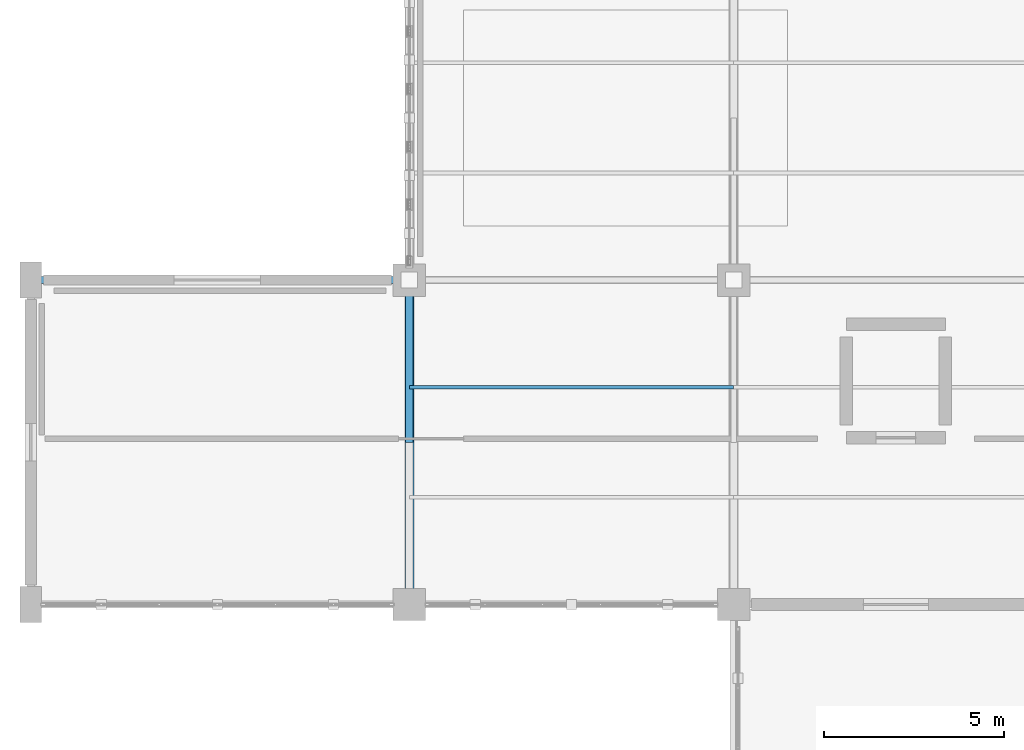
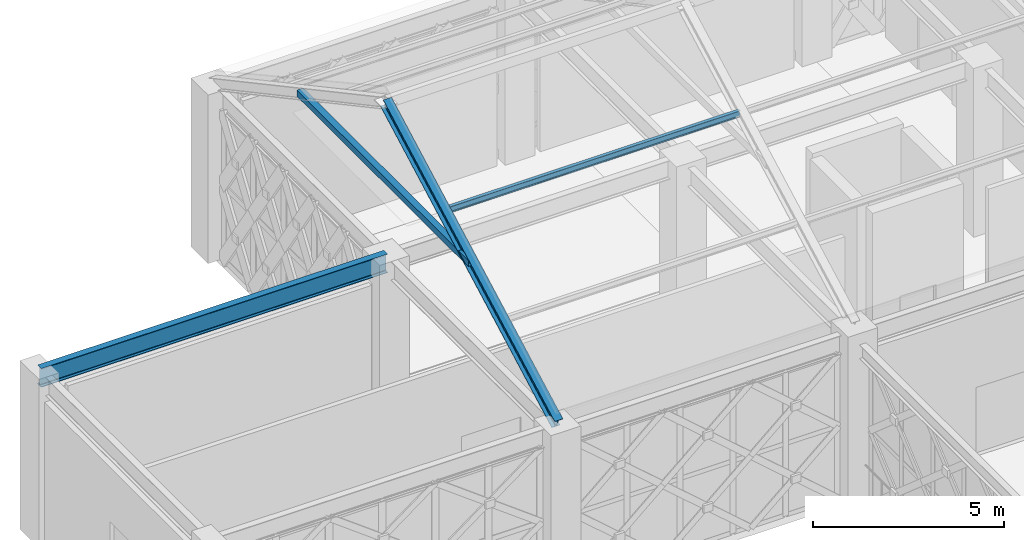
# One storey, part 56 of 166: 3 members, 1 beam.
"""IFC4 building model written with IfcOpenShell, lengths in metres."""

from ifc_helpers import new_model, si_unit, direction, frame, origin, origin_2d, place, context, subcontext, project, spatial, hollow_rectangle, i_section, extrude, material, material_profile, profile_set, type_object, element, save


model = new_model("IFC4")

# Units and contexts
model_context = context("Model", 3, precision=1e-05, world=origin(), true_north=direction((0.0, 1.0)))
body_context = subcontext(model_context, "Body", "Model", "MODEL_VIEW")
ifc_project = project(units=[si_unit("LENGTHUNIT", "METRE"), si_unit("AREAUNIT", "SQUARE_METRE"), si_unit("VOLUMEUNIT", "CUBIC_METRE"), si_unit("PLANEANGLEUNIT", "RADIAN"), si_unit("MASSUNIT", "GRAM", prefix="KILO")], contexts=[model_context])

# Site, building, storey
site_placement = place(None, origin())
site = spatial("IfcSite", under=ifc_project, at=site_placement, CompositionType="ELEMENT")
building_placement = place(site_placement, origin())
building = spatial("IfcBuilding", under=site, at=building_placement, Name="Haizhuo Lancet Aquarium", CompositionType="ELEMENT")
storey_placement = place(building_placement, frame((0.0, 0.0, 5.39990234375)))
storey = spatial("IfcBuildingStorey", under=building, at=storey_placement, Name="L01", CompositionType="ELEMENT", Elevation=5.39990234375)

# Beam
ifc_material = material(Name="Steel S355", Category="steel")
ifc_material_profile_1 = material_profile(ifc_material, i_section(OverallWidth=0.199951171875, OverallDepth=0.60009765625, WebThickness=0.010986328125, FlangeThickness=0.01708984375, FilletRadius=0.02197265625, at=origin_2d()), Name="HN 600x200x11x17")
ifc_profile_set_1 = profile_set([ifc_material_profile_1], Name="Steel S355")
beam_type = type_object("IfcBeamType", Name="BM-ST-HN600", PredefinedType="BEAM", material=ifc_profile_set_1)
beam_placement = place(storey_placement, frame((-82.5, 18.0, 5.10009765625), z_axis=(1.0, 0.0, 0.0), x_axis=(0.0, 1.0, 0.0)))
element("IfcBeam", 1, at=beam_placement, inside=storey, type_object=beam_type, Name="L01 V2 primary girder BM-L01-V2-003", PredefinedType="BEAM", context=body_context, shape_type="SweptSolid", body=[
    extrude(i_section(OverallWidth=0.199951171875, OverallDepth=0.60009765625, WebThickness=0.010986328125, FlangeThickness=0.01708984375, FilletRadius=0.02197265625, at=origin_2d()), origin(), (0.0, 0.0, 1.0), 10.5),
])

# Members
ifc_material_profile_2 = material_profile(ifc_material, hollow_rectangle(XDim=0.199951171875, YDim=0.199951171875, WallThickness=0.010009765625, at=origin_2d()), Name="SHS 200x200x10")
ifc_profile_set_2 = profile_set([ifc_material_profile_2], Name="Steel S355")
member_type_1 = type_object("IfcMemberType", Name="MEM-CL-SHS200", PredefinedType="COLLAR", material=ifc_profile_set_2)
member_1_placement = place(storey_placement, frame((-72.0, 13.5, 7.793212890625), z_axis=(0.0, 1.0, 0.0), x_axis=(-1.0, 0.0, 0.0)))
element("IfcMember", 2, at=member_1_placement, inside=storey, type_object=member_type_1, Name="V2 Gothic roof collar tie 1", PredefinedType="COLLAR", context=body_context, shape_type="SweptSolid", body=[
    extrude(hollow_rectangle(XDim=0.199951171875, YDim=0.199951171875, WallThickness=0.010009765625, at=origin_2d()), origin(), (0.0, 0.0, 1.0), 9.0),
])
ifc_material_profile_3 = material_profile(ifc_material, i_section(OverallWidth=0.10009765625, OverallDepth=0.199951171875, WebThickness=0.005615234375, FlangeThickness=0.008056640625, FilletRadius=0.008056640625, at=origin_2d()), Name="HN 200x100x5.5x8")
ifc_profile_set_3 = profile_set([ifc_material_profile_3], Name="Steel S355")
member_type_2 = type_object("IfcMemberType", Name="MEM-PR-HN200", PredefinedType="PURLIN", material=ifc_profile_set_3)
member_2_placement = place(storey_placement, frame((-72.0, 15.030029296875, 8.507080078125), z_axis=(1.0, 0.0, 0.0), x_axis=(0.0, 1.0, 0.0)))
element("IfcMember", 3, at=member_2_placement, inside=storey, type_object=member_type_2, Name="V2 south roof purlin 1", PredefinedType="PURLIN", context=body_context, shape_type="SweptSolid", body=[
    extrude(i_section(OverallWidth=0.10009765625, OverallDepth=0.199951171875, WebThickness=0.005615234375, FlangeThickness=0.008056640625, FilletRadius=0.008056640625, at=origin_2d()), origin(), (0.0, 0.0, 1.0), 9.0),
])
ifc_material_profile_4 = material_profile(ifc_material, i_section(OverallWidth=0.25, OverallDepth=0.340087890625, WebThickness=0.009033203125, FlangeThickness=0.013916015625, FilletRadius=0.01806640625, at=origin_2d()), Name="HM 340x250x9x14")
ifc_profile_set_4 = profile_set([ifc_material_profile_4], Name="Steel S355")
member_type_3 = type_object("IfcMemberType", Name="MEM-RF-HM340", PredefinedType="RAFTER", material=ifc_profile_set_4)
member_3_placement = place(storey_placement, frame((-72.0, 9.0, 5.3701171875), z_axis=(0.0, 0.880479536064, 0.474084155581), x_axis=(-1.0, 0.0, 0.0)))
element("IfcMember", 4, at=member_3_placement, inside=storey, type_object=member_type_3, Name="V2 Gothic pitched roof south rafter 1", PredefinedType="RAFTER", context=body_context, shape_type="SweptSolid", body=[
    extrude(i_section(OverallWidth=0.25, OverallDepth=0.340087890625, WebThickness=0.009033203125, FlangeThickness=0.013916015625, FilletRadius=0.01806640625, at=origin_2d()), origin(), (0.0, 0.0, 1.0), 10.2216796875),
])

save(model, "model.ifc")
